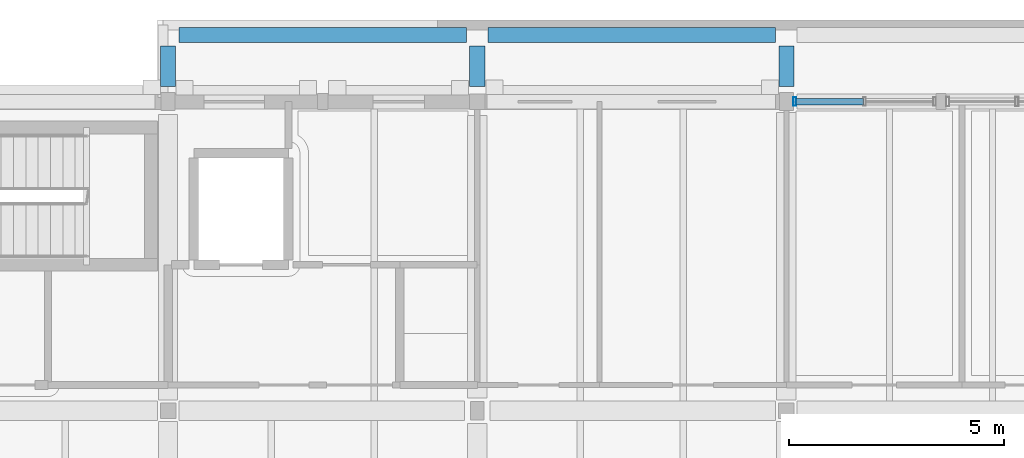
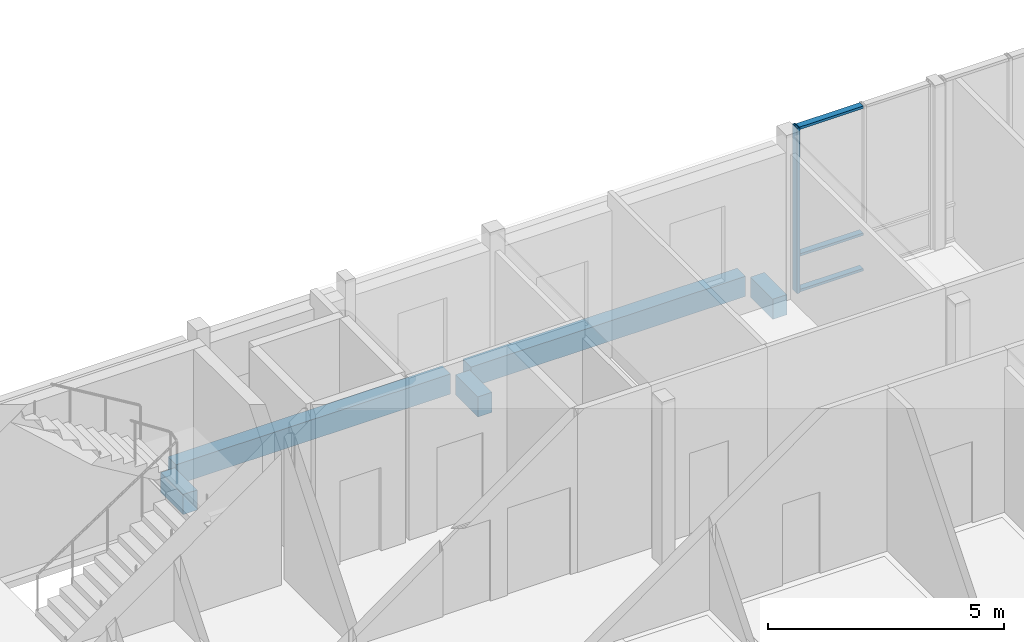
# One storey, part 44 of 146: 5 beams, 4 members, 1 element without a shape of its own.
"""IFC4 building model written with IfcOpenShell, lengths in metres."""

from ifc_helpers import new_model, si_unit, direction, frame, origin, origin_2d, place, context, subcontext, project, spatial, rectangle, hollow_rectangle, extrude, material, material_profile, profile_set, type_object, element, aggregate, save


model = new_model("IFC4")

# Units and contexts
model_context = context("Model", 3, precision=1e-05, world=origin(), true_north=direction((0.0, 1.0)))
body_context = subcontext(model_context, "Body", "Model", "MODEL_VIEW")
ifc_project = project(units=[si_unit("LENGTHUNIT", "METRE"), si_unit("AREAUNIT", "SQUARE_METRE"), si_unit("VOLUMEUNIT", "CUBIC_METRE"), si_unit("PLANEANGLEUNIT", "RADIAN"), si_unit("MASSUNIT", "GRAM", prefix="KILO")], contexts=[model_context])

# Site, building, storey
site_placement = place(None, origin())
site = spatial("IfcSite", under=ifc_project, at=site_placement, CompositionType="ELEMENT")
building_placement = place(site_placement, origin())
building = spatial("IfcBuilding", under=site, at=building_placement, Name="Hawrajan Terrace Health Centre", CompositionType="ELEMENT")
storey_placement = place(building_placement, frame((0.0, 0.0, 4.5)))
storey = spatial("IfcBuildingStorey", under=building, at=storey_placement, Name="L01", CompositionType="ELEMENT", Elevation=4.5)

# Curtain wall, members
ifc_material_1 = material(Name="Anodized bronze aluminium and low-E solar glazing", Category="aluminium")
curtain_wall_type = type_object("IfcCurtainWallType", Name="CW_Vestibule_SeriesH1", PredefinedType="USERDEFINED", material=ifc_material_1)
curtain_wall_placement = place(storey_placement, origin())
curtain_wall = element("IfcCurtainWall", 1, at=curtain_wall_placement, inside=storey, type_object=curtain_wall_type, Name="Curtain wall CW-L01-067", ObjectType="UNITISED CURTAIN WALL", PredefinedType="USERDEFINED")
ifc_material_2 = material(Name="Anodized bronze aluminium 6063-T6", Category="aluminium")
ifc_material_profile_1 = material_profile(ifc_material_2, hollow_rectangle(XDim=0.06494140625, YDim=0.199951171875, WallThickness=0.00439453125, at=origin_2d()), Name="CW MUL 65x200")
ifc_profile_set_1 = profile_set([ifc_material_profile_1], Name="Anodized bronze aluminium 6063-T6")
member_type_1 = type_object("IfcMemberType", Name="CWMullion_65x200", PredefinedType="MULLION", material=ifc_profile_set_1)
member_1_placement = place(storey_placement, frame((33.592529296875, 59.800048828125, -0.0048828125), z_axis=(0.0, 0.0, 1.0), x_axis=(1.0, 0.0, 0.0)))
member_1 = element("IfcMember", 2, at=member_1_placement, type_object=member_type_1, Name="Mullion CW-L01-067-M1", PredefinedType="MULLION", context=body_context, shape_type="SweptSolid", body=[
    extrude(hollow_rectangle(XDim=0.06494140625, YDim=0.199951171875, WallThickness=0.00439453125, at=origin_2d()), origin(), (0.0, 0.0, 1.0), 4.269775390625),
])
ifc_material_profile_2 = material_profile(ifc_material_2, hollow_rectangle(XDim=0.06494140625, YDim=0.14990234375, WallThickness=0.00390625, at=origin_2d()), Name="CW TRN 65x150")
ifc_profile_set_2 = profile_set([ifc_material_profile_2], Name="Anodized bronze aluminium 6063-T6")
member_type_2 = type_object("IfcMemberType", Name="CWTransom_65x150", PredefinedType="USERDEFINED", material=ifc_profile_set_2)
member_2_placement = place(storey_placement, frame((33.618896484375, 59.800048828125, 0.032470703125), z_axis=(1.0, 0.0, 0.0), x_axis=(0.0, 0.0, 1.0)))
member_2 = element("IfcMember", 3, at=member_2_placement, type_object=member_type_2, Name="Transom CW-L01-067-T1-1", ObjectType="TRANSOM", PredefinedType="USERDEFINED", context=body_context, shape_type="SweptSolid", body=[
    extrude(hollow_rectangle(XDim=0.06494140625, YDim=0.14990234375, WallThickness=0.00390625, at=origin_2d()), origin(), (0.0, 0.0, 1.0), 1.57470703125),
])
member_3_placement = place(storey_placement, frame((33.618896484375, 59.800048828125, 0.949951171875), z_axis=(1.0, 0.0, 0.0), x_axis=(0.0, 0.0, 1.0)))
member_3 = element("IfcMember", 4, at=member_3_placement, type_object=member_type_2, Name="Transom CW-L01-067-T1-2", ObjectType="TRANSOM", PredefinedType="USERDEFINED", context=body_context, shape_type="SweptSolid", body=[
    extrude(hollow_rectangle(XDim=0.06494140625, YDim=0.14990234375, WallThickness=0.00390625, at=origin_2d()), origin(), (0.0, 0.0, 1.0), 1.57470703125),
])
member_4_placement = place(storey_placement, frame((33.618896484375, 59.800048828125, 4.2275390625), z_axis=(1.0, 0.0, 0.0), x_axis=(0.0, 0.0, 1.0)))
member_4 = element("IfcMember", 5, at=member_4_placement, type_object=member_type_2, Name="Transom CW-L01-067-T1-3", ObjectType="TRANSOM", PredefinedType="USERDEFINED", context=body_context, shape_type="SweptSolid", body=[
    extrude(hollow_rectangle(XDim=0.06494140625, YDim=0.14990234375, WallThickness=0.00390625, at=origin_2d()), origin(), (0.0, 0.0, 1.0), 1.57470703125),
])
aggregate(curtain_wall, [member_1, member_2, member_3, member_4])

# Beams
ifc_material_3 = material(Name="Concrete C40/50", Category="concrete")
ifc_material_profile_3 = material_profile(ifc_material_3, rectangle(XDim=0.35009765625, YDim=0.52001953125, at=origin_2d()), Name="RC SP 350x520")
ifc_profile_set_3 = profile_set([ifc_material_profile_3], Name="Concrete C40/50")
beam_type = type_object("IfcBeamType", Name="RCSpandrel_350x520", PredefinedType="SPANDREL", material=ifc_profile_set_3)
for number, where, z_axis, x_axis, name in (
    (6, (19.0, 60.14990234375, -0.56005859375), (0.0, 1.0, 0.0), (-1.0, 0.0, 0.0), "North colonnade cross beam 1"),
    (7, (26.199951171875, 60.14990234375, -0.56005859375), (0.0, 1.0, 0.0), (-1.0, 0.0, 0.0), "North colonnade cross beam 2"),
    (8, (33.39990234375, 60.14990234375, -0.56005859375), (0.0, 1.0, 0.0), (-1.0, 0.0, 0.0), "North colonnade cross beam 3"),
):
    element("IfcBeam", number, at=place(storey_placement, frame(where, z_axis=z_axis, x_axis=x_axis)), inside=storey, type_object=beam_type, Name=name, PredefinedType="SPANDREL", context=body_context, shape_type="SweptSolid", body=[
        extrude(rectangle(XDim=0.35009765625, YDim=0.52001953125, at=origin_2d()), origin(), (0.0, 0.0, 1.0), 0.9501953125),
    ])
for number, where, z_axis, x_axis, name in (
    (9, (19.25, 61.35009765625, -0.56005859375), (1.0, 0.0, 0.0), (0.0, 1.0, 0.0), "North colonnade entablature beam"),
    (10, (26.449951171875, 61.35009765625, -0.56005859375), (1.0, 0.0, 0.0), (0.0, 1.0, 0.0), "North colonnade entablature beam"),
):
    element("IfcBeam", number, at=place(storey_placement, frame(where, z_axis=z_axis, x_axis=x_axis)), inside=storey, type_object=beam_type, Name=name, PredefinedType="SPANDREL", context=body_context, shape_type="SweptSolid", body=[
        extrude(rectangle(XDim=0.35009765625, YDim=0.52001953125, at=origin_2d()), origin(), (0.0, 0.0, 1.0), 6.699951171875),
    ])

save(model, "model.ifc")
